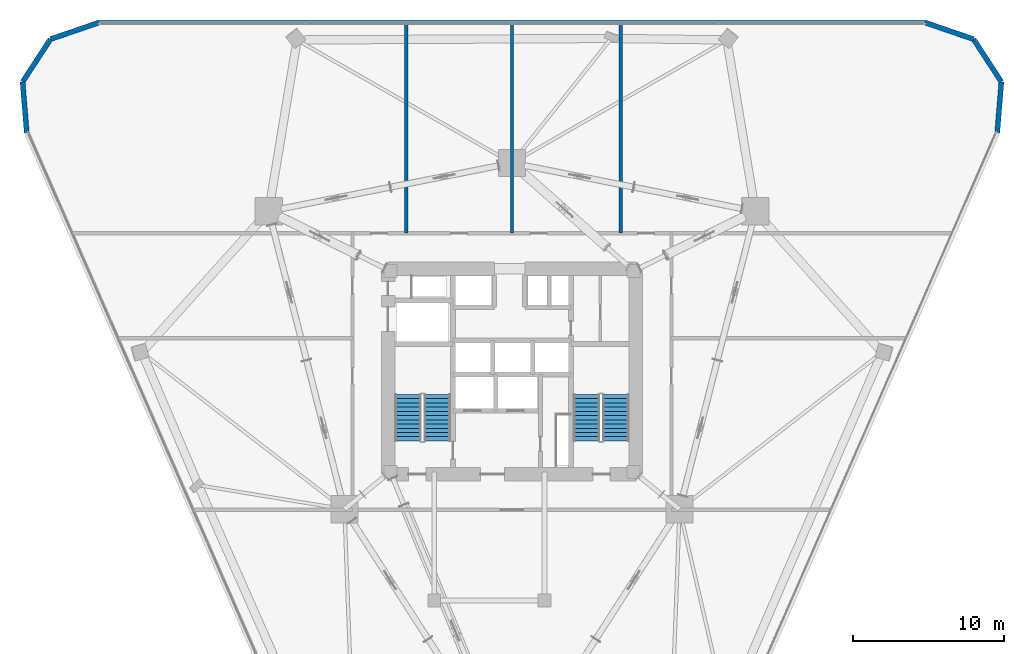
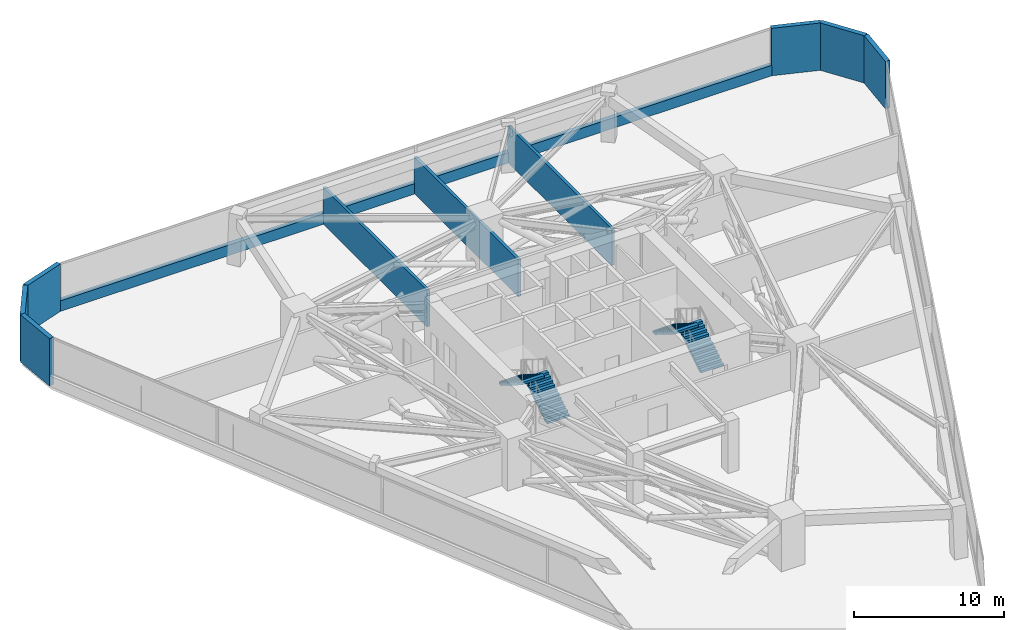
# One storey, part 19 of 20: 10 walls, 4 stair flights, 2 elements without a shape of their own.
"""IFC4 building model written with IfcOpenShell, lengths in metres."""

from ifc_helpers import new_model, si_unit, direction, frame, frame_2d, origin, place, context, subcontext, project, spatial, polyline, rectangle, outline, extrude, material, layer, layer_set, type_object, element, aggregate, save


model = new_model("IFC4")

# Units and contexts
model_context = context("Model", 3, precision=1e-05, world=origin(), true_north=direction((0.0, 1.0)))
body_context = subcontext(model_context, "Body", "Model", "MODEL_VIEW")
ifc_project = project(units=[si_unit("LENGTHUNIT", "METRE"), si_unit("AREAUNIT", "SQUARE_METRE"), si_unit("VOLUMEUNIT", "CUBIC_METRE"), si_unit("PLANEANGLEUNIT", "RADIAN"), si_unit("MASSUNIT", "GRAM", prefix="KILO")], contexts=[model_context])

# Site, building, storey
site_placement = place(None, origin())
site = spatial("IfcSite", under=ifc_project, at=site_placement, CompositionType="ELEMENT")
building_placement = place(site_placement, origin())
building = spatial("IfcBuilding", under=site, at=building_placement, Name="Talyreon Biosciences Tower", CompositionType="ELEMENT")
storey_placement = place(building_placement, frame((0.0, 0.0, 66.60009765625)))
storey = spatial("IfcBuildingStorey", under=building, at=storey_placement, Name="L17", CompositionType="ELEMENT", Elevation=66.60009765625)

# Walls
ifc_material_1 = material(Name="Gypsum fireboard acoustic stud", Category="gypsum")
ifc_layer_1 = layer(ifc_material_1, 0.219970703125)
ifc_layer_set_1 = layer_set([ifc_layer_1], Name="Gypsum fireboard acoustic stud")
wall_type_1 = type_object("IfcWallType", Name="CorridorRatedPartition_220", PredefinedType="PARTITIONING", material=ifc_layer_set_1)
for number, where, z_axis, x_axis, name in (
    (1, (59.0, 77.14990234375, 0.0), (0.0, 0.0, 1.0), (0.0, 1.0, 0.0), "L17 Interior Wall IW-L17-ND1"),
    (2, (66.0, 77.14990234375, 0.0), (0.0, 0.0, 1.0), (0.0, 1.0, 0.0), "L17 Interior Wall IW-L17-ND2"),
    (3, (73.199951171875, 77.14990234375, 0.0), (0.0, 0.0, 1.0), (0.0, 1.0, 0.0), "L17 Interior Wall IW-L17-ND3"),
):
    element("IfcWall", number, at=place(storey_placement, frame(where, z_axis=z_axis, x_axis=x_axis)), inside=storey, type_object=wall_type_1, Name=name, PredefinedType="PARTITIONING", context=body_context, shape_type="SweptSolid", body=[
        extrude(rectangle(XDim=13.852294921875, YDim=0.219970703125, at=frame_2d((6.92626953125, 0.0))), origin(), (0.0, 0.0, 1.0), 2.97998046875),
    ])
ifc_material_2 = material(Name="Precast concrete C45/55", Category="concrete")
ifc_layer_2 = layer(ifc_material_2, 0.340087890625)
ifc_layer_set_2 = layer_set([ifc_layer_2], Name="Precast concrete C45/55")
wall_type_2 = type_object("IfcWallType", Name="PrecastConcreteSpandrelWall_340", PredefinedType="STANDARD", material=ifc_layer_set_2)
wall_1_placement = place(storey_placement, frame((33.885986328125, 83.802734375, 0.0), z_axis=(0.0, 0.0, 1.0), x_axis=(-0.081806311552, 0.99664824657, 0.0)))
element("IfcWall", 4, at=wall_1_placement, inside=storey, type_object=wall_type_2, Name="L17 Rounded-Corner Concrete Pier 01", PredefinedType="STANDARD", context=body_context, shape_type="SweptSolid", body=[
    extrude(rectangle(XDim=3.375244140625, YDim=0.340087890625, at=frame_2d((1.6875, 0.0))), origin(), (0.0, 0.0, 1.0), 3.849853515625),
])
wall_2_placement = place(storey_placement, frame((33.60986328125, 87.166748046875, 0.0), z_axis=(0.0, 0.0, 1.0), x_axis=(0.54736822803, 0.83689188247, 0.0)))
element("IfcWall", 5, at=wall_2_placement, inside=storey, type_object=wall_type_2, Name="L17 Rounded-Corner Concrete Pier 02", PredefinedType="STANDARD", context=body_context, shape_type="SweptSolid", body=[
    extrude(rectangle(XDim=3.37548828125, YDim=0.340087890625, at=frame_2d((1.687744140625, 0.0))), origin(), (0.0, 0.0, 1.0), 3.849853515625),
])
wall_3_placement = place(storey_placement, frame((35.45751953125, 89.99169921875, 0.0), z_axis=(0.0, 0.0, 1.0), x_axis=(0.945861583966, 0.324570275868, 0.0)))
element("IfcWall", 6, at=wall_3_placement, inside=storey, type_object=wall_type_2, Name="L17 Rounded-Corner Concrete Pier 03", PredefinedType="STANDARD", context=body_context, shape_type="SweptSolid", body=[
    extrude(rectangle(XDim=3.375, YDim=0.340087890625, at=frame_2d((1.6875, 0.0))), origin(), (0.0, 0.0, 1.0), 3.849853515625),
])
wall_4_placement = place(storey_placement, frame((38.64990234375, 91.087158203125, 0.0), z_axis=(0.0, 0.0, 1.0), x_axis=(1.0, 0.0, 0.0)))
element("IfcWall", 7, at=wall_4_placement, inside=storey, type_object=wall_type_2, Name="L17 Expressed Concrete Sill Wall 04", PredefinedType="STANDARD", context=body_context, shape_type="SweptSolid", body=[
    extrude(rectangle(XDim=54.7001953125, YDim=0.340087890625, at=frame_2d((27.35009765625, 0.0))), origin(), (0.0, 0.0, 1.0), 0.849853515625),
])
wall_5_placement = place(storey_placement, frame((93.35009765625, 91.087158203125, 0.0), z_axis=(0.0, 0.0, 1.0), x_axis=(0.945861583966, -0.324570275868, 0.0)))
element("IfcWall", 8, at=wall_5_placement, inside=storey, type_object=wall_type_2, Name="L17 Rounded-Corner Concrete Pier 05", PredefinedType="STANDARD", context=body_context, shape_type="SweptSolid", body=[
    extrude(rectangle(XDim=3.375, YDim=0.340087890625, at=frame_2d((1.6875, 0.0))), origin(), (0.0, 0.0, 1.0), 3.849853515625),
])
wall_6_placement = place(storey_placement, frame((96.54248046875, 89.99169921875, 0.0), z_axis=(0.0, 0.0, 1.0), x_axis=(0.54736822803, -0.83689188247, 0.0)))
element("IfcWall", 9, at=wall_6_placement, inside=storey, type_object=wall_type_2, Name="L17 Rounded-Corner Concrete Pier 06", PredefinedType="STANDARD", context=body_context, shape_type="SweptSolid", body=[
    extrude(rectangle(XDim=3.37548828125, YDim=0.340087890625, at=frame_2d((1.687744140625, 0.0))), origin(), (0.0, 0.0, 1.0), 3.849853515625),
])
wall_7_placement = place(storey_placement, frame((98.39013671875, 87.166748046875, 0.0), z_axis=(0.0, 0.0, 1.0), x_axis=(-0.081806311552, -0.99664824657, 0.0)))
element("IfcWall", 10, at=wall_7_placement, inside=storey, type_object=wall_type_2, Name="L17 Rounded-Corner Concrete Pier 07", PredefinedType="STANDARD", context=body_context, shape_type="SweptSolid", body=[
    extrude(rectangle(XDim=3.375244140625, YDim=0.340087890625, at=frame_2d((1.6875, 0.0))), origin(), (0.0, 0.0, 1.0), 3.849853515625),
])

# Stair, stair flights
ifc_material_3 = material(Name="Concrete C40/50", Category="concrete")
stair_type = type_object("IfcStairType", Name="DoglegEscapeStair_4200", PredefinedType="HALF_TURN_STAIR", material=ifc_material_3)
stair_1_placement = place(storey_placement, origin())
stair_1 = element("IfcStair", 11, at=stair_1_placement, inside=storey, type_object=stair_type, Name="L17 Core Escape Stair 1", PredefinedType="HALF_TURN_STAIR")
stair_flight_type = type_object("IfcStairFlightType", Name="PrecastStairFlight_4200", PredefinedType="STRAIGHT", material=ifc_material_3)
stair_flight_1_placement = place(storey_placement, frame((61.06005859375, 63.39990234375, 0.0), z_axis=(0.0, 0.0, 1.0), x_axis=(0.0, 1.0, 0.0)))
stair_flight_1 = element("IfcStairFlight", 12, at=stair_flight_1_placement, type_object=stair_flight_type, Name="ST-1 flight 1", NumberOfRisers=12, NumberOfTreads=11, PredefinedType="STRAIGHT", RiserHeight=0.175, TreadLength=0.28, context=body_context, shape_type="SweptSolid", body=[
    extrude(outline(polyline([(0.0, 0.0), (0.0, 0.175048828125), (0.280029296875, 0.175048828125), (0.280029296875, 0.35009765625), (0.56005859375, 0.35009765625), (0.56005859375, 0.52490234375), (0.840087890625, 0.52490234375), (0.840087890625, 0.699951171875), (1.1201171875, 0.699951171875), (1.1201171875, 0.875), (1.39990234375, 0.875), (1.39990234375, 1.050048828125), (1.679931640625, 1.050048828125), (1.679931640625, 1.22509765625), (1.9599609375, 1.22509765625), (1.9599609375, 1.39990234375), (2.239990234375, 1.39990234375), (2.239990234375, 1.574951171875), (2.52001953125, 1.574951171875), (2.52001953125, 1.75), (2.800048828125, 1.75), (2.800048828125, 1.925048828125), (3.080078125, 1.925048828125), (3.080078125, 2.10009765625), (3.080078125, 1.748291015625), (0.28271484375, 0.0), (0.0, 0.0)])), frame((0.0, 0.8701171875, 0.0), z_axis=(0.0, -1.0, 0.0), x_axis=(1.0, 0.0, 0.0)), (0.0, 0.0, 1.0), 1.739990234375),
])
stair_flight_2_placement = place(storey_placement, frame((59.1201171875, 66.47998046875, 2.099853515625), z_axis=(0.0, 0.0, 1.0), x_axis=(0.0, -1.0, 0.0)))
stair_flight_2 = element("IfcStairFlight", 13, at=stair_flight_2_placement, type_object=stair_flight_type, Name="ST-1 flight 2", NumberOfRisers=12, NumberOfTreads=11, PredefinedType="STRAIGHT", RiserHeight=0.175, TreadLength=0.28, context=body_context, shape_type="SweptSolid", body=[
    extrude(outline(polyline([(0.0, 0.0), (0.0, 0.175048828125), (0.280029296875, 0.175048828125), (0.280029296875, 0.35009765625), (0.56005859375, 0.35009765625), (0.56005859375, 0.52490234375), (0.840087890625, 0.52490234375), (0.840087890625, 0.699951171875), (1.1201171875, 0.699951171875), (1.1201171875, 0.875), (1.39990234375, 0.875), (1.39990234375, 1.050048828125), (1.679931640625, 1.050048828125), (1.679931640625, 1.22509765625), (1.9599609375, 1.22509765625), (1.9599609375, 1.39990234375), (2.239990234375, 1.39990234375), (2.239990234375, 1.574951171875), (2.52001953125, 1.574951171875), (2.52001953125, 1.75), (2.800048828125, 1.75), (2.800048828125, 1.925048828125), (3.080078125, 1.925048828125), (3.080078125, 2.10009765625), (3.080078125, 1.748291015625), (0.28271484375, 0.0), (0.0, 0.0)])), frame((0.0, 0.8701171875, 0.0), z_axis=(0.0, -1.0, 0.0), x_axis=(1.0, 0.0, 0.0)), (0.0, 0.0, 1.0), 1.739990234375),
])
aggregate(stair_1, [stair_flight_1, stair_flight_2])

stair_2_placement = place(storey_placement, origin())
stair_2 = element("IfcStair", 14, at=stair_2_placement, inside=storey, type_object=stair_type, Name="L17 Core Escape Stair 2", PredefinedType="HALF_TURN_STAIR")
stair_flight_3_placement = place(storey_placement, frame((72.8798828125, 63.39990234375, 0.0), z_axis=(0.0, 0.0, 1.0), x_axis=(0.0, 1.0, 0.0)))
stair_flight_3 = element("IfcStairFlight", 15, at=stair_flight_3_placement, type_object=stair_flight_type, Name="ST-2 flight 1", NumberOfRisers=12, NumberOfTreads=11, PredefinedType="STRAIGHT", RiserHeight=0.175, TreadLength=0.28, context=body_context, shape_type="SweptSolid", body=[
    extrude(outline(polyline([(0.0, 0.0), (0.0, 0.175048828125), (0.280029296875, 0.175048828125), (0.280029296875, 0.35009765625), (0.56005859375, 0.35009765625), (0.56005859375, 0.52490234375), (0.840087890625, 0.52490234375), (0.840087890625, 0.699951171875), (1.1201171875, 0.699951171875), (1.1201171875, 0.875), (1.39990234375, 0.875), (1.39990234375, 1.050048828125), (1.679931640625, 1.050048828125), (1.679931640625, 1.22509765625), (1.9599609375, 1.22509765625), (1.9599609375, 1.39990234375), (2.239990234375, 1.39990234375), (2.239990234375, 1.574951171875), (2.52001953125, 1.574951171875), (2.52001953125, 1.75), (2.800048828125, 1.75), (2.800048828125, 1.925048828125), (3.080078125, 1.925048828125), (3.080078125, 2.10009765625), (3.080078125, 1.748291015625), (0.28271484375, 0.0), (0.0, 0.0)])), frame((0.0, 0.8701171875, 0.0), z_axis=(0.0, -1.0, 0.0), x_axis=(1.0, 0.0, 0.0)), (0.0, 0.0, 1.0), 1.739990234375),
])
stair_flight_4_placement = place(storey_placement, frame((70.93994140625, 66.47998046875, 2.099853515625), z_axis=(0.0, 0.0, 1.0), x_axis=(0.0, -1.0, 0.0)))
stair_flight_4 = element("IfcStairFlight", 16, at=stair_flight_4_placement, type_object=stair_flight_type, Name="ST-2 flight 2", NumberOfRisers=12, NumberOfTreads=11, PredefinedType="STRAIGHT", RiserHeight=0.175, TreadLength=0.28, context=body_context, shape_type="SweptSolid", body=[
    extrude(outline(polyline([(0.0, 0.0), (0.0, 0.175048828125), (0.280029296875, 0.175048828125), (0.280029296875, 0.35009765625), (0.56005859375, 0.35009765625), (0.56005859375, 0.52490234375), (0.840087890625, 0.52490234375), (0.840087890625, 0.699951171875), (1.1201171875, 0.699951171875), (1.1201171875, 0.875), (1.39990234375, 0.875), (1.39990234375, 1.050048828125), (1.679931640625, 1.050048828125), (1.679931640625, 1.22509765625), (1.9599609375, 1.22509765625), (1.9599609375, 1.39990234375), (2.239990234375, 1.39990234375), (2.239990234375, 1.574951171875), (2.52001953125, 1.574951171875), (2.52001953125, 1.75), (2.800048828125, 1.75), (2.800048828125, 1.925048828125), (3.080078125, 1.925048828125), (3.080078125, 2.10009765625), (3.080078125, 1.748291015625), (0.28271484375, 0.0), (0.0, 0.0)])), frame((0.0, 0.8701171875, 0.0), z_axis=(0.0, -1.0, 0.0), x_axis=(1.0, 0.0, 0.0)), (0.0, 0.0, 1.0), 1.739990234375),
])
aggregate(stair_2, [stair_flight_3, stair_flight_4])

save(model, "model.ifc")
